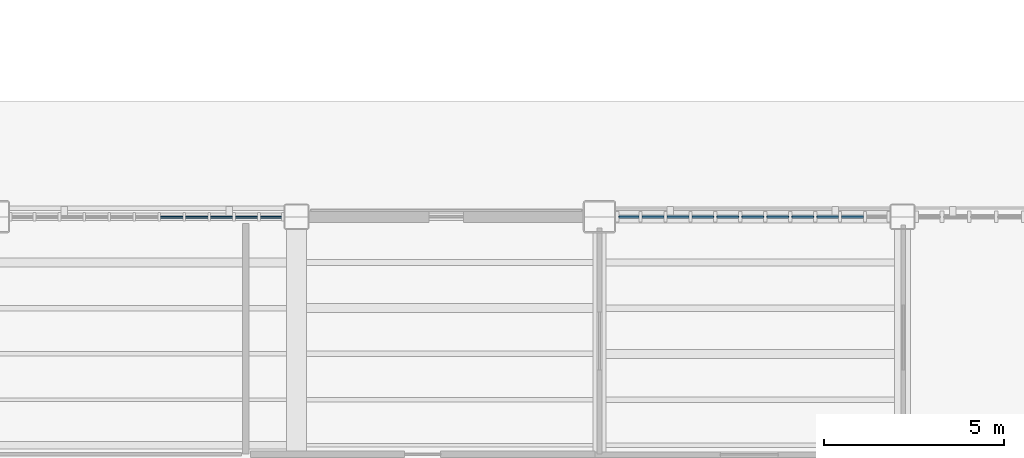
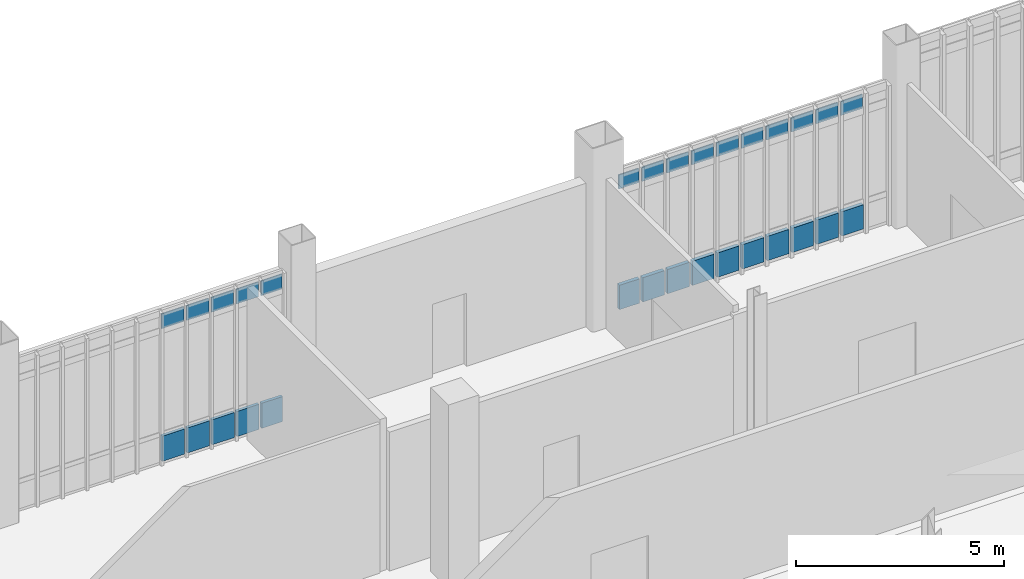
# One storey, part 78 of 111: 30 plates, 2 elements without a shape of their own.
"""IFC4 building model written with IfcOpenShell, lengths in metres."""

from ifc_helpers import new_model, si_unit, direction, frame, origin, origin_2d, place, context, subcontext, project, spatial, rectangle, extrude, material, layer, layer_set, type_object, element, aggregate, save


model = new_model("IFC4")

# Units and contexts
model_context = context("Model", 3, precision=1e-05, world=origin(), true_north=direction((0.0, 1.0)))
body_context = subcontext(model_context, "Body", "Model", "MODEL_VIEW")
ifc_project = project(units=[si_unit("LENGTHUNIT", "METRE"), si_unit("AREAUNIT", "SQUARE_METRE"), si_unit("VOLUMEUNIT", "CUBIC_METRE"), si_unit("PLANEANGLEUNIT", "RADIAN"), si_unit("MASSUNIT", "GRAM", prefix="KILO")], contexts=[model_context])

# Site, building, storey
site_placement = place(None, origin())
site = spatial("IfcSite", under=ifc_project, at=site_placement, CompositionType="ELEMENT")
building_placement = place(site_placement, origin())
building = spatial("IfcBuilding", under=site, at=building_placement, Name="Larkvane Passage Sports Hall", CompositionType="ELEMENT")
storey_placement = place(building_placement, origin())
storey = spatial("IfcBuildingStorey", under=building, at=storey_placement, Name="L00", CompositionType="ELEMENT", Elevation=0.0)

# Curtain wall, plates
ifc_material_1 = material(Name="Thermally broken aluminium and low-E glazing", Category="aluminium")
curtain_wall_type_1 = type_object("IfcCurtainWallType", Name="CW-STICK-FOYER", PredefinedType="USERDEFINED", material=ifc_material_1)
curtain_wall_1_placement = place(storey_placement, origin())
curtain_wall_1 = element("IfcCurtainWall", 1, at=curtain_wall_1_placement, inside=storey, type_object=curtain_wall_type_1, Name="Curtain wall CW5-L00-010", ObjectType="STICK CURTAIN WALL", PredefinedType="USERDEFINED")
ifc_material_2 = material(Name="Fire-stopped shadow-box spandrel panel")
ifc_layer_1 = layer(ifc_material_2, 0.10498046875)
ifc_layer_set_1 = layer_set([ifc_layer_1], Name="Fire-stopped shadow-box spandrel panel")
plate_type_1 = type_object("IfcPlateType", Name="CWP-SPD-105", PredefinedType="CURTAIN_PANEL", material=ifc_layer_set_1)
plate_1_placement = place(storey_placement, frame((69.21435546875, 91.60009765625, 0.08984375), z_axis=(0.0, 0.0, 1.0), x_axis=(1.0, 0.0, 0.0)))
plate_1 = element("IfcPlate", 2, at=plate_1_placement, type_object=plate_type_1, Name="CW-03 panel 1.1", PredefinedType="CURTAIN_PANEL", context=body_context, shape_type="SweptSolid", body=[
    extrude(rectangle(XDim=0.556640625, YDim=0.10498046875, at=origin_2d()), origin(), (0.0, 0.0, 1.0), 0.715087890625),
])
plate_2_placement = place(storey_placement, frame((69.883544921875, 91.60009765625, 0.08984375), z_axis=(0.0, 0.0, 1.0), x_axis=(1.0, 0.0, 0.0)))
plate_2 = element("IfcPlate", 3, at=plate_2_placement, type_object=plate_type_1, Name="CW-03 panel 2.1", PredefinedType="CURTAIN_PANEL", context=body_context, shape_type="SweptSolid", body=[
    extrude(rectangle(XDim=0.6015625, YDim=0.10498046875, at=origin_2d()), origin(), (0.0, 0.0, 1.0), 0.715087890625),
])
plate_3_placement = place(storey_placement, frame((70.5751953125, 91.60009765625, 0.08984375), z_axis=(0.0, 0.0, 1.0), x_axis=(1.0, 0.0, 0.0)))
plate_3 = element("IfcPlate", 4, at=plate_3_placement, type_object=plate_type_1, Name="CW-03 panel 3.1", PredefinedType="CURTAIN_PANEL", context=body_context, shape_type="SweptSolid", body=[
    extrude(rectangle(XDim=0.6015625, YDim=0.10498046875, at=origin_2d()), origin(), (0.0, 0.0, 1.0), 0.715087890625),
])
plate_4_placement = place(storey_placement, frame((71.266845703125, 91.60009765625, 0.08984375), z_axis=(0.0, 0.0, 1.0), x_axis=(1.0, 0.0, 0.0)))
plate_4 = element("IfcPlate", 5, at=plate_4_placement, type_object=plate_type_1, Name="CW-03 panel 4.1", PredefinedType="CURTAIN_PANEL", context=body_context, shape_type="SweptSolid", body=[
    extrude(rectangle(XDim=0.6015625, YDim=0.10498046875, at=origin_2d()), origin(), (0.0, 0.0, 1.0), 0.715087890625),
])
plate_5_placement = place(storey_placement, frame((71.958251953125, 91.60009765625, 0.08984375), z_axis=(0.0, 0.0, 1.0), x_axis=(1.0, 0.0, 0.0)))
plate_5 = element("IfcPlate", 6, at=plate_5_placement, type_object=plate_type_1, Name="CW-03 panel 5.1", PredefinedType="CURTAIN_PANEL", context=body_context, shape_type="SweptSolid", body=[
    extrude(rectangle(XDim=0.6015625, YDim=0.10498046875, at=origin_2d()), origin(), (0.0, 0.0, 1.0), 0.715087890625),
])
plate_6_placement = place(storey_placement, frame((72.64990234375, 91.60009765625, 0.08984375), z_axis=(0.0, 0.0, 1.0), x_axis=(1.0, 0.0, 0.0)))
plate_6 = element("IfcPlate", 7, at=plate_6_placement, type_object=plate_type_1, Name="CW-03 panel 6.1", PredefinedType="CURTAIN_PANEL", context=body_context, shape_type="SweptSolid", body=[
    extrude(rectangle(XDim=0.6015625, YDim=0.10498046875, at=origin_2d()), origin(), (0.0, 0.0, 1.0), 0.715087890625),
])
plate_7_placement = place(storey_placement, frame((73.341552734375, 91.60009765625, 0.08984375), z_axis=(0.0, 0.0, 1.0), x_axis=(1.0, 0.0, 0.0)))
plate_7 = element("IfcPlate", 8, at=plate_7_placement, type_object=plate_type_1, Name="CW-03 panel 7.1", PredefinedType="CURTAIN_PANEL", context=body_context, shape_type="SweptSolid", body=[
    extrude(rectangle(XDim=0.6015625, YDim=0.10498046875, at=origin_2d()), origin(), (0.0, 0.0, 1.0), 0.715087890625),
])
plate_8_placement = place(storey_placement, frame((74.033203125, 91.60009765625, 0.08984375), z_axis=(0.0, 0.0, 1.0), x_axis=(1.0, 0.0, 0.0)))
plate_8 = element("IfcPlate", 9, at=plate_8_placement, type_object=plate_type_1, Name="CW-03 panel 8.1", PredefinedType="CURTAIN_PANEL", context=body_context, shape_type="SweptSolid", body=[
    extrude(rectangle(XDim=0.6015625, YDim=0.10498046875, at=origin_2d()), origin(), (0.0, 0.0, 1.0), 0.715087890625),
])
plate_9_placement = place(storey_placement, frame((74.724853515625, 91.60009765625, 0.08984375), z_axis=(0.0, 0.0, 1.0), x_axis=(1.0, 0.0, 0.0)))
plate_9 = element("IfcPlate", 10, at=plate_9_placement, type_object=plate_type_1, Name="CW-03 panel 9.1", PredefinedType="CURTAIN_PANEL", context=body_context, shape_type="SweptSolid", body=[
    extrude(rectangle(XDim=0.6015625, YDim=0.10498046875, at=origin_2d()), origin(), (0.0, 0.0, 1.0), 0.715087890625),
])
plate_10_placement = place(storey_placement, frame((75.41650390625, 91.60009765625, 0.08984375), z_axis=(0.0, 0.0, 1.0), x_axis=(1.0, 0.0, 0.0)))
plate_10 = element("IfcPlate", 11, at=plate_10_placement, type_object=plate_type_1, Name="CW-03 panel 10.1", PredefinedType="CURTAIN_PANEL", context=body_context, shape_type="SweptSolid", body=[
    extrude(rectangle(XDim=0.6015625, YDim=0.10498046875, at=origin_2d()), origin(), (0.0, 0.0, 1.0), 0.715087890625),
])

curtain_wall_type_2 = type_object("IfcCurtainWallType", Name="CW-UNIT-VEIL", PredefinedType="USERDEFINED", material=ifc_material_1)
curtain_wall_2_placement = place(storey_placement, origin())
curtain_wall_2 = element("IfcCurtainWall", 12, at=curtain_wall_2_placement, inside=storey, type_object=curtain_wall_type_2, Name="Curtain wall CW5-L00-009", ObjectType="UNITISED CURTAIN WALL", PredefinedType="USERDEFINED")
ifc_material_3 = material(Name="Mineral-wool insulated spandrel cassette")
ifc_layer_2 = layer(ifc_material_3, 0.0849609375)
ifc_layer_set_2 = layer_set([ifc_layer_2], Name="Mineral-wool insulated spandrel cassette")
plate_type_2 = type_object("IfcPlateType", Name="CWP-SPD-85", PredefinedType="CURTAIN_PANEL", material=ifc_layer_set_2)
plate_11_placement = place(storey_placement, frame((56.541748046875, 91.60009765625, 0.0751953125), z_axis=(0.0, 0.0, 1.0), x_axis=(1.0, 0.0, 0.0)))
plate_11 = element("IfcPlate", 13, at=plate_11_placement, type_object=plate_type_2, Name="CW-02 panel 7.1", PredefinedType="CURTAIN_PANEL", context=body_context, shape_type="SweptSolid", body=[
    extrude(rectangle(XDim=0.61669921875, YDim=0.0849609375, at=origin_2d()), origin(), (0.0, 0.0, 1.0), 0.737548828125),
])
plate_12_placement = place(storey_placement, frame((57.233154296875, 91.60009765625, 0.0751953125), z_axis=(0.0, 0.0, 1.0), x_axis=(1.0, 0.0, 0.0)))
plate_12 = element("IfcPlate", 14, at=plate_12_placement, type_object=plate_type_2, Name="CW-02 panel 8.1", PredefinedType="CURTAIN_PANEL", context=body_context, shape_type="SweptSolid", body=[
    extrude(rectangle(XDim=0.61669921875, YDim=0.0849609375, at=origin_2d()), origin(), (0.0, 0.0, 1.0), 0.737548828125),
])
plate_13_placement = place(storey_placement, frame((57.9248046875, 91.60009765625, 0.0751953125), z_axis=(0.0, 0.0, 1.0), x_axis=(1.0, 0.0, 0.0)))
plate_13 = element("IfcPlate", 15, at=plate_13_placement, type_object=plate_type_2, Name="CW-02 panel 9.1", PredefinedType="CURTAIN_PANEL", context=body_context, shape_type="SweptSolid", body=[
    extrude(rectangle(XDim=0.61669921875, YDim=0.0849609375, at=origin_2d()), origin(), (0.0, 0.0, 1.0), 0.737548828125),
])
plate_14_placement = place(storey_placement, frame((58.616455078125, 91.60009765625, 0.0751953125), z_axis=(0.0, 0.0, 1.0), x_axis=(1.0, 0.0, 0.0)))
plate_14 = element("IfcPlate", 16, at=plate_14_placement, type_object=plate_type_2, Name="CW-02 panel 10.1", PredefinedType="CURTAIN_PANEL", context=body_context, shape_type="SweptSolid", body=[
    extrude(rectangle(XDim=0.61669921875, YDim=0.0849609375, at=origin_2d()), origin(), (0.0, 0.0, 1.0), 0.737548828125),
])
plate_15_placement = place(storey_placement, frame((59.28955078125, 91.60009765625, 0.0751953125), z_axis=(0.0, 0.0, 1.0), x_axis=(1.0, 0.0, 0.0)))
plate_15 = element("IfcPlate", 17, at=plate_15_placement, type_object=plate_type_2, Name="CW-02 panel 11.1", PredefinedType="CURTAIN_PANEL", context=body_context, shape_type="SweptSolid", body=[
    extrude(rectangle(XDim=0.5791015625, YDim=0.0849609375, at=origin_2d()), origin(), (0.0, 0.0, 1.0), 0.737548828125),
])
ifc_material_4 = material(Name="Laminated acoustic low-E glazing", Category="glass")
ifc_layer_3 = layer(ifc_material_4, 0.031982421875)
ifc_layer_set_3 = layer_set([ifc_layer_3], Name="Laminated acoustic low-E glazing")
plate_type_3 = type_object("IfcPlateType", Name="CWP-VIS-32", PredefinedType="CURTAIN_PANEL", material=ifc_layer_set_3)
plate_16_placement = place(storey_placement, frame((56.541748046875, 91.60009765625, 3.95556640625), z_axis=(0.0, 0.0, 1.0), x_axis=(1.0, 0.0, 0.0)))
plate_16 = element("IfcPlate", 18, at=plate_16_placement, type_object=plate_type_3, Name="CW-02 panel 7.3", PredefinedType="CURTAIN_PANEL", context=body_context, shape_type="SweptSolid", body=[
    extrude(rectangle(XDim=0.61669921875, YDim=0.031982421875, at=origin_2d()), origin(), (0.0, 0.0, 1.0), 0.4375),
])
plate_17_placement = place(storey_placement, frame((57.233154296875, 91.60009765625, 3.95556640625), z_axis=(0.0, 0.0, 1.0), x_axis=(1.0, 0.0, 0.0)))
plate_17 = element("IfcPlate", 19, at=plate_17_placement, type_object=plate_type_3, Name="CW-02 panel 8.3", PredefinedType="CURTAIN_PANEL", context=body_context, shape_type="SweptSolid", body=[
    extrude(rectangle(XDim=0.61669921875, YDim=0.031982421875, at=origin_2d()), origin(), (0.0, 0.0, 1.0), 0.4375),
])
plate_18_placement = place(storey_placement, frame((57.9248046875, 91.60009765625, 3.95556640625), z_axis=(0.0, 0.0, 1.0), x_axis=(1.0, 0.0, 0.0)))
plate_18 = element("IfcPlate", 20, at=plate_18_placement, type_object=plate_type_3, Name="CW-02 panel 9.3", PredefinedType="CURTAIN_PANEL", context=body_context, shape_type="SweptSolid", body=[
    extrude(rectangle(XDim=0.61669921875, YDim=0.031982421875, at=origin_2d()), origin(), (0.0, 0.0, 1.0), 0.4375),
])
plate_19_placement = place(storey_placement, frame((58.616455078125, 91.60009765625, 3.95556640625), z_axis=(0.0, 0.0, 1.0), x_axis=(1.0, 0.0, 0.0)))
plate_19 = element("IfcPlate", 21, at=plate_19_placement, type_object=plate_type_3, Name="CW-02 panel 10.3", PredefinedType="CURTAIN_PANEL", context=body_context, shape_type="SweptSolid", body=[
    extrude(rectangle(XDim=0.61669921875, YDim=0.031982421875, at=origin_2d()), origin(), (0.0, 0.0, 1.0), 0.4375),
])
plate_20_placement = place(storey_placement, frame((59.28955078125, 91.60009765625, 3.95556640625), z_axis=(0.0, 0.0, 1.0), x_axis=(1.0, 0.0, 0.0)))
plate_20 = element("IfcPlate", 22, at=plate_20_placement, type_object=plate_type_3, Name="CW-02 panel 11.3", PredefinedType="CURTAIN_PANEL", context=body_context, shape_type="SweptSolid", body=[
    extrude(rectangle(XDim=0.5791015625, YDim=0.031982421875, at=origin_2d()), origin(), (0.0, 0.0, 1.0), 0.4375),
])
aggregate(curtain_wall_2, [plate_11, plate_16, plate_12, plate_17, plate_13, plate_18, plate_14, plate_19, plate_15, plate_20])

# Plate
ifc_material_5 = material(Name="High-impact court low-E glazing", Category="glass")
ifc_layer_4 = layer(ifc_material_5, 0.035888671875)
ifc_layer_set_4 = layer_set([ifc_layer_4], Name="High-impact court low-E glazing")
plate_type_4 = type_object("IfcPlateType", Name="CWP-VIS-36", PredefinedType="CURTAIN_PANEL", material=ifc_layer_set_4)
plate_21_placement = place(storey_placement, frame((69.21435546875, 91.60009765625, 3.613037109375), z_axis=(0.0, 0.0, 1.0), x_axis=(1.0, 0.0, 0.0)))
plate_21 = element("IfcPlate", 23, at=plate_21_placement, type_object=plate_type_4, Name="CW-03 panel 1.3", PredefinedType="CURTAIN_PANEL", context=body_context, shape_type="SweptSolid", body=[
    extrude(rectangle(XDim=0.556640625, YDim=0.035888671875, at=origin_2d()), origin(), (0.0, 0.0, 1.0), 0.4150390625),
])

plate_22_placement = place(storey_placement, frame((69.883544921875, 91.60009765625, 3.613037109375), z_axis=(0.0, 0.0, 1.0), x_axis=(1.0, 0.0, 0.0)))
plate_22 = element("IfcPlate", 24, at=plate_22_placement, type_object=plate_type_4, Name="CW-03 panel 2.3", PredefinedType="CURTAIN_PANEL", context=body_context, shape_type="SweptSolid", body=[
    extrude(rectangle(XDim=0.6015625, YDim=0.035888671875, at=origin_2d()), origin(), (0.0, 0.0, 1.0), 0.4150390625),
])

plate_23_placement = place(storey_placement, frame((70.5751953125, 91.60009765625, 3.613037109375), z_axis=(0.0, 0.0, 1.0), x_axis=(1.0, 0.0, 0.0)))
plate_23 = element("IfcPlate", 25, at=plate_23_placement, type_object=plate_type_4, Name="CW-03 panel 3.3", PredefinedType="CURTAIN_PANEL", context=body_context, shape_type="SweptSolid", body=[
    extrude(rectangle(XDim=0.6015625, YDim=0.035888671875, at=origin_2d()), origin(), (0.0, 0.0, 1.0), 0.4150390625),
])

plate_24_placement = place(storey_placement, frame((71.266845703125, 91.60009765625, 3.613037109375), z_axis=(0.0, 0.0, 1.0), x_axis=(1.0, 0.0, 0.0)))
plate_24 = element("IfcPlate", 26, at=plate_24_placement, type_object=plate_type_4, Name="CW-03 panel 4.3", PredefinedType="CURTAIN_PANEL", context=body_context, shape_type="SweptSolid", body=[
    extrude(rectangle(XDim=0.6015625, YDim=0.035888671875, at=origin_2d()), origin(), (0.0, 0.0, 1.0), 0.4150390625),
])

plate_25_placement = place(storey_placement, frame((71.958251953125, 91.60009765625, 3.613037109375), z_axis=(0.0, 0.0, 1.0), x_axis=(1.0, 0.0, 0.0)))
plate_25 = element("IfcPlate", 27, at=plate_25_placement, type_object=plate_type_4, Name="CW-03 panel 5.3", PredefinedType="CURTAIN_PANEL", context=body_context, shape_type="SweptSolid", body=[
    extrude(rectangle(XDim=0.6015625, YDim=0.035888671875, at=origin_2d()), origin(), (0.0, 0.0, 1.0), 0.4150390625),
])

plate_26_placement = place(storey_placement, frame((72.64990234375, 91.60009765625, 3.613037109375), z_axis=(0.0, 0.0, 1.0), x_axis=(1.0, 0.0, 0.0)))
plate_26 = element("IfcPlate", 28, at=plate_26_placement, type_object=plate_type_4, Name="CW-03 panel 6.3", PredefinedType="CURTAIN_PANEL", context=body_context, shape_type="SweptSolid", body=[
    extrude(rectangle(XDim=0.6015625, YDim=0.035888671875, at=origin_2d()), origin(), (0.0, 0.0, 1.0), 0.4150390625),
])

plate_27_placement = place(storey_placement, frame((73.341552734375, 91.60009765625, 3.613037109375), z_axis=(0.0, 0.0, 1.0), x_axis=(1.0, 0.0, 0.0)))
plate_27 = element("IfcPlate", 29, at=plate_27_placement, type_object=plate_type_4, Name="CW-03 panel 7.3", PredefinedType="CURTAIN_PANEL", context=body_context, shape_type="SweptSolid", body=[
    extrude(rectangle(XDim=0.6015625, YDim=0.035888671875, at=origin_2d()), origin(), (0.0, 0.0, 1.0), 0.4150390625),
])

plate_28_placement = place(storey_placement, frame((74.033203125, 91.60009765625, 3.613037109375), z_axis=(0.0, 0.0, 1.0), x_axis=(1.0, 0.0, 0.0)))
plate_28 = element("IfcPlate", 30, at=plate_28_placement, type_object=plate_type_4, Name="CW-03 panel 8.3", PredefinedType="CURTAIN_PANEL", context=body_context, shape_type="SweptSolid", body=[
    extrude(rectangle(XDim=0.6015625, YDim=0.035888671875, at=origin_2d()), origin(), (0.0, 0.0, 1.0), 0.4150390625),
])

plate_29_placement = place(storey_placement, frame((74.724853515625, 91.60009765625, 3.613037109375), z_axis=(0.0, 0.0, 1.0), x_axis=(1.0, 0.0, 0.0)))
plate_29 = element("IfcPlate", 31, at=plate_29_placement, type_object=plate_type_4, Name="CW-03 panel 9.3", PredefinedType="CURTAIN_PANEL", context=body_context, shape_type="SweptSolid", body=[
    extrude(rectangle(XDim=0.6015625, YDim=0.035888671875, at=origin_2d()), origin(), (0.0, 0.0, 1.0), 0.4150390625),
])

plate_30_placement = place(storey_placement, frame((75.41650390625, 91.60009765625, 3.613037109375), z_axis=(0.0, 0.0, 1.0), x_axis=(1.0, 0.0, 0.0)))
plate_30 = element("IfcPlate", 32, at=plate_30_placement, type_object=plate_type_4, Name="CW-03 panel 10.3", PredefinedType="CURTAIN_PANEL", context=body_context, shape_type="SweptSolid", body=[
    extrude(rectangle(XDim=0.6015625, YDim=0.035888671875, at=origin_2d()), origin(), (0.0, 0.0, 1.0), 0.4150390625),
])

aggregate(curtain_wall_1, [plate_1, plate_21, plate_2, plate_22, plate_3, plate_23, plate_4, plate_24, plate_5, plate_25, plate_6, plate_26, plate_7, plate_27, plate_8, plate_28, plate_9, plate_29, plate_10, plate_30])

save(model, "model.ifc")
